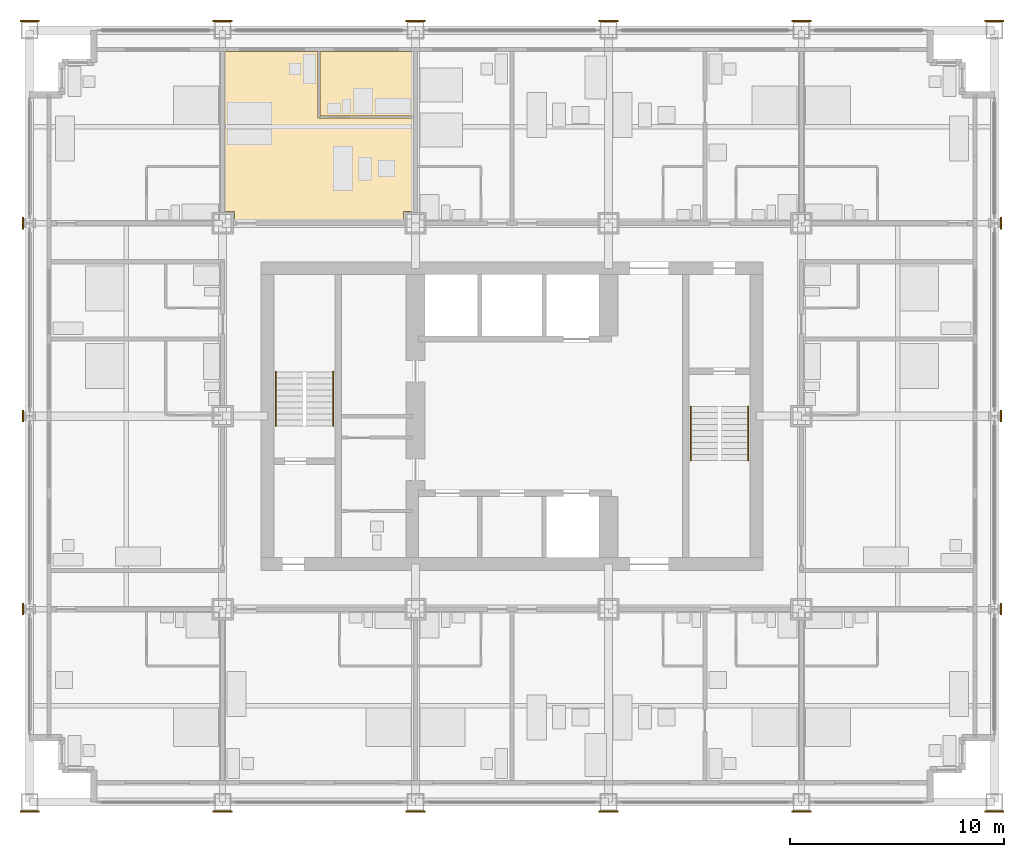
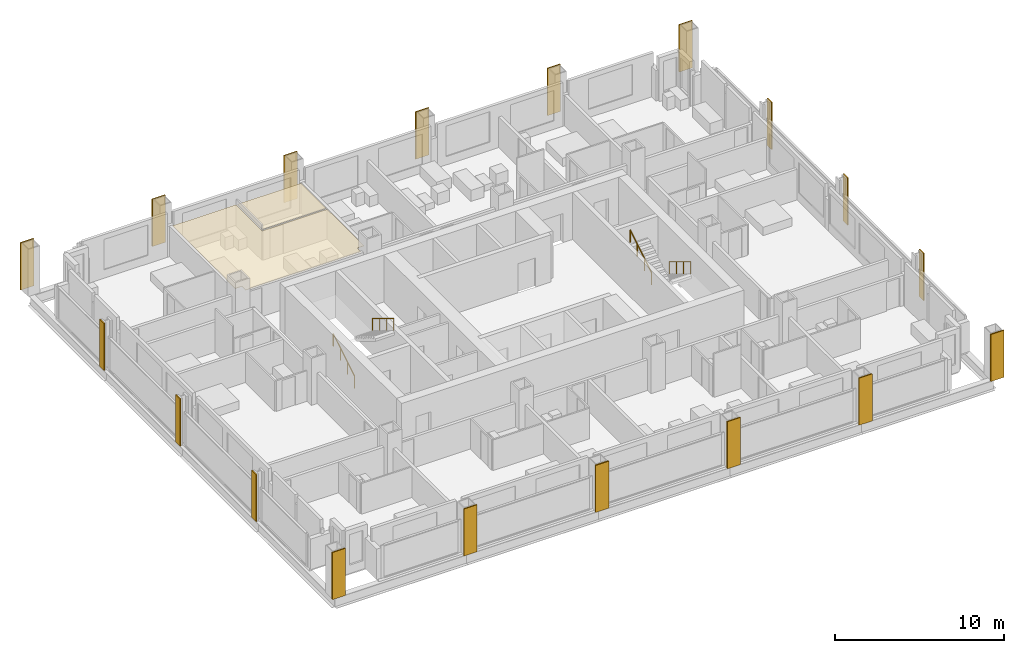
# One storey, part 15 of 17: 20 coverings, 4 railings.
"""IFC4 building model written with IfcOpenShell, lengths in metres."""

from ifc_helpers import new_model, si_unit, direction, frame, origin, origin_2d, place, context, subcontext, project, spatial, polyline, rectangle, circle, outline, extrude, material, layer, layer_set, type_object, element, save


model = new_model("IFC4")

# Units and contexts
model_context = context("Model", 3, precision=1e-05, world=origin(), true_north=direction((0.0, 1.0)))
body_context = subcontext(model_context, "Body", "Model", "MODEL_VIEW")
ifc_project = project(units=[si_unit("LENGTHUNIT", "METRE"), si_unit("AREAUNIT", "SQUARE_METRE"), si_unit("VOLUMEUNIT", "CUBIC_METRE"), si_unit("PLANEANGLEUNIT", "RADIAN"), si_unit("MASSUNIT", "GRAM", prefix="KILO")], contexts=[model_context])

# Site, building, storey
site_placement = place(None, origin())
site = spatial("IfcSite", under=ifc_project, at=site_placement, CompositionType="ELEMENT")
building_placement = place(site_placement, origin())
building = spatial("IfcBuilding", under=site, at=building_placement, Name="Loomwork Tower", CompositionType="ELEMENT")
storey_placement = place(building_placement, frame((0.0, 0.0, 152.0)))
storey = spatial("IfcBuildingStorey", under=building, at=storey_placement, Name="L41", CompositionType="ELEMENT", Elevation=152.0)

# Railings
ifc_material_1 = material(Name="Stainless steel handrail", Category="steel")
railing_type = type_object("IfcRailingType", Name="Handrail 900", PredefinedType="HANDRAIL", material=ifc_material_1)
railing_1_placement = place(storey_placement, frame((11.485107421875, 17.550048828125, 0.169921875)))
element("IfcRailing", 1, at=railing_1_placement, inside=storey, type_object=railing_type, Name="Stair A handrail flight 1 L41", PredefinedType="HANDRAIL", context=body_context, shape_type="SweptSolid", body=[
    extrude(circle(Radius=0.02392578125, at=origin_2d()), frame((0.0, 0.0, 0.8759765625), z_axis=(0.0, 0.85478489116, 0.518982456201), x_axis=(-1.0, 0.0, 0.0)), (0.0, 0.0, 1.0), 2.9482421875),
    extrude(circle(Radius=0.02099609375, at=origin_2d()), origin(), (0.0, 0.0, 1.0), 0.851806640625),
    extrude(circle(Radius=0.02099609375, at=origin_2d()), frame((0.0, 0.840087890625, 0.510009765625)), (0.0, 0.0, 1.0), 0.851806640625),
    extrude(circle(Radius=0.02099609375, at=origin_2d()), frame((0.0, 1.679931640625, 1.02001953125)), (0.0, 0.0, 1.0), 0.851806640625),
    extrude(circle(Radius=0.02099609375, at=origin_2d()), frame((0.0, 2.52001953125, 1.530029296875)), (0.0, 0.0, 1.0), 0.851806640625),
])
railing_2_placement = place(storey_placement, frame((14.1650390625, 20.070068359375, 1.8701171875)))
element("IfcRailing", 2, at=railing_2_placement, inside=storey, type_object=railing_type, Name="Stair A handrail flight 2 L41", PredefinedType="HANDRAIL", context=body_context, shape_type="SweptSolid", body=[
    extrude(circle(Radius=0.02392578125, at=origin_2d()), frame((0.0, 0.0, 0.8759765625), z_axis=(0.0, -0.854821627497, 0.518921945155), x_axis=(1.0, 0.0, 0.0)), (0.0, 0.0, 1.0), 2.947998046875),
    extrude(circle(Radius=0.02099609375, at=origin_2d()), origin(), (0.0, 0.0, 1.0), 0.851806640625),
    extrude(circle(Radius=0.02099609375, at=origin_2d()), frame((0.0, -0.840087890625, 0.510009765625)), (0.0, 0.0, 1.0), 0.851806640625),
    extrude(circle(Radius=0.02099609375, at=origin_2d()), frame((0.0, -1.679931640625, 1.019775390625)), (0.0, 0.0, 1.0), 0.851806640625),
    extrude(circle(Radius=0.02099609375, at=origin_2d()), frame((0.0, -2.52001953125, 1.52978515625)), (0.0, 0.0, 1.0), 0.851806640625),
])
railing_3_placement = place(storey_placement, frame((33.514892578125, 18.449951171875, 0.169921875)))
element("IfcRailing", 3, at=railing_3_placement, inside=storey, type_object=railing_type, Name="Stair B handrail flight 1 L41", PredefinedType="HANDRAIL", context=body_context, shape_type="SweptSolid", body=[
    extrude(circle(Radius=0.02392578125, at=origin_2d()), frame((0.0, 0.0, 0.8759765625), z_axis=(0.0, -0.85478489116, 0.518982456201), x_axis=(1.0, 0.0, 0.0)), (0.0, 0.0, 1.0), 2.9482421875),
    extrude(circle(Radius=0.02099609375, at=origin_2d()), origin(), (0.0, 0.0, 1.0), 0.851806640625),
    extrude(circle(Radius=0.02099609375, at=origin_2d()), frame((0.0, -0.840087890625, 0.510009765625)), (0.0, 0.0, 1.0), 0.851806640625),
    extrude(circle(Radius=0.02099609375, at=origin_2d()), frame((0.0, -1.679931640625, 1.02001953125)), (0.0, 0.0, 1.0), 0.851806640625),
    extrude(circle(Radius=0.02099609375, at=origin_2d()), frame((0.0, -2.52001953125, 1.530029296875)), (0.0, 0.0, 1.0), 0.851806640625),
])
railing_4_placement = place(storey_placement, frame((30.8349609375, 15.929931640625, 1.8701171875)))
element("IfcRailing", 4, at=railing_4_placement, inside=storey, type_object=railing_type, Name="Stair B handrail flight 2 L41", PredefinedType="HANDRAIL", context=body_context, shape_type="SweptSolid", body=[
    extrude(circle(Radius=0.02392578125, at=origin_2d()), frame((0.0, 0.0, 0.8759765625), z_axis=(0.0, 0.854821627497, 0.518921945155), x_axis=(-1.0, 0.0, 0.0)), (0.0, 0.0, 1.0), 2.947998046875),
    extrude(circle(Radius=0.02099609375, at=origin_2d()), origin(), (0.0, 0.0, 1.0), 0.851806640625),
    extrude(circle(Radius=0.02099609375, at=origin_2d()), frame((0.0, 0.840087890625, 0.510009765625)), (0.0, 0.0, 1.0), 0.851806640625),
    extrude(circle(Radius=0.02099609375, at=origin_2d()), frame((0.0, 1.679931640625, 1.019775390625)), (0.0, 0.0, 1.0), 0.851806640625),
    extrude(circle(Radius=0.02099609375, at=origin_2d()), frame((0.0, 2.52001953125, 1.52978515625)), (0.0, 0.0, 1.0), 0.851806640625),
])

# Coverings
ifc_material_2 = material(Name="Limestone", Category="masonry")
ifc_layer_1 = layer(ifc_material_2, 0.080078125)
ifc_layer_set_1 = layer_set([ifc_layer_1], Name="Limestone pier facing 80")
covering_type_1 = type_object("IfcCoveringType", Name="Limestone pier facing 80", PredefinedType="CLADDING", material=ifc_layer_set_1)
covering_1_placement = place(storey_placement, frame((0.0, -0.43994140625, 0.0), z_axis=(0.0, 0.0, 1.0), x_axis=(1.0, 0.0, 0.0)))
element("IfcCovering", 5, at=covering_1_placement, inside=storey, type_object=covering_type_1, Name="Pier facing D/2 L41", PredefinedType="CLADDING", context=body_context, shape_type="SweptSolid", body=[
    extrude(rectangle(XDim=0.89990234375, YDim=0.080078125, at=origin_2d()), origin(), (0.0, 0.0, 1.0), 3.39990234375),
])
for number, where, z_axis, x_axis, name in (
    (6, (-0.305419921875, 9.0, 0.0), (0.0, 0.0, 1.0), (1.0, 0.0, 0.0), "Pier facing E/2 L41"),
    (7, (-0.305419921875, 18.0, 0.0), (0.0, 0.0, 1.0), (1.0, 0.0, 0.0), "Pier facing F/2 L41"),
    (8, (-0.305419921875, 27.0, 0.0), (0.0, 0.0, 1.0), (1.0, 0.0, 0.0), "Pier facing G/2 L41"),
):
    element("IfcCovering", number, at=place(storey_placement, frame(where, z_axis=z_axis, x_axis=x_axis)), inside=storey, type_object=covering_type_1, Name=name, PredefinedType="CLADDING", context=body_context, shape_type="SweptSolid", body=[
        extrude(rectangle(XDim=0.080078125, YDim=0.5419921875, at=origin_2d()), origin(), (0.0, 0.0, 1.0), 3.39990234375),
    ])
for number, where, z_axis, x_axis, name in (
    (9, (0.0, 36.43994140625, 0.0), (0.0, 0.0, 1.0), (1.0, 0.0, 0.0), "Pier facing H/2 L41"),
    (10, (9.0, -0.43994140625, 0.0), (0.0, 0.0, 1.0), (1.0, 0.0, 0.0), "Pier facing D/3 L41"),
    (11, (9.0, 36.43994140625, 0.0), (0.0, 0.0, 1.0), (1.0, 0.0, 0.0), "Pier facing H/3 L41"),
    (12, (18.0, -0.43994140625, 0.0), (0.0, 0.0, 1.0), (1.0, 0.0, 0.0), "Pier facing D/4 L41"),
    (13, (18.0, 36.43994140625, 0.0), (0.0, 0.0, 1.0), (1.0, 0.0, 0.0), "Pier facing H/4 L41"),
    (14, (27.0, -0.43994140625, 0.0), (0.0, 0.0, 1.0), (1.0, 0.0, 0.0), "Pier facing D/5 L41"),
    (15, (27.0, 36.43994140625, 0.0), (0.0, 0.0, 1.0), (1.0, 0.0, 0.0), "Pier facing H/5 L41"),
    (16, (36.0, -0.43994140625, 0.0), (0.0, 0.0, 1.0), (1.0, 0.0, 0.0), "Pier facing D/6 L41"),
    (17, (36.0, 36.43994140625, 0.0), (0.0, 0.0, 1.0), (1.0, 0.0, 0.0), "Pier facing H/6 L41"),
    (18, (45.0, -0.43994140625, 0.0), (0.0, 0.0, 1.0), (1.0, 0.0, 0.0), "Pier facing D/7 L41"),
):
    element("IfcCovering", number, at=place(storey_placement, frame(where, z_axis=z_axis, x_axis=x_axis)), inside=storey, type_object=covering_type_1, Name=name, PredefinedType="CLADDING", context=body_context, shape_type="SweptSolid", body=[
        extrude(rectangle(XDim=0.89990234375, YDim=0.080078125, at=origin_2d()), origin(), (0.0, 0.0, 1.0), 3.39990234375),
    ])
for number, where, z_axis, x_axis, name in (
    (19, (45.305419921875, 9.0, 0.0), (0.0, 0.0, 1.0), (1.0, 0.0, 0.0), "Pier facing E/7 L41"),
    (20, (45.305419921875, 18.0, 0.0), (0.0, 0.0, 1.0), (1.0, 0.0, 0.0), "Pier facing F/7 L41"),
    (21, (45.305419921875, 27.0, 0.0), (0.0, 0.0, 1.0), (1.0, 0.0, 0.0), "Pier facing G/7 L41"),
):
    element("IfcCovering", number, at=place(storey_placement, frame(where, z_axis=z_axis, x_axis=x_axis)), inside=storey, type_object=covering_type_1, Name=name, PredefinedType="CLADDING", context=body_context, shape_type="SweptSolid", body=[
        extrude(rectangle(XDim=0.080078125, YDim=0.5419921875, at=origin_2d()), origin(), (0.0, 0.0, 1.0), 3.39990234375),
    ])
covering_2_placement = place(storey_placement, frame((45.0, 36.43994140625, 0.0), z_axis=(0.0, 0.0, 1.0), x_axis=(1.0, 0.0, 0.0)))
element("IfcCovering", 22, at=covering_2_placement, inside=storey, type_object=covering_type_1, Name="Pier facing H/7 L41", PredefinedType="CLADDING", context=body_context, shape_type="SweptSolid", body=[
    extrude(rectangle(XDim=0.89990234375, YDim=0.080078125, at=origin_2d()), origin(), (0.0, 0.0, 1.0), 3.39990234375),
])
ifc_material_3 = material(Name="Mineral fibre acoustic tile on suspension grid")
ifc_layer_2 = layer(ifc_material_3, 0.02490234375)
ifc_layer_set_2 = layer_set([ifc_layer_2], Name="Suspended acoustic ceiling")
covering_type_2 = type_object("IfcCoveringType", Name="Suspended acoustic ceiling", PredefinedType="CEILING", material=ifc_layer_set_2)
covering_3_placement = place(storey_placement, frame((0.0, 0.0, 2.125)))
element("IfcCovering", 23, at=covering_3_placement, inside=storey, type_object=covering_type_2, Name="Ceiling Spa bathroom L41", PredefinedType="CEILING", context=body_context, shape_type="SweptSolid", body=[
    extrude(outline(polyline([(13.550048828125, 35.0), (17.89990234375, 35.0), (17.89990234375, 32.0), (13.550048828125, 32.0), (13.550048828125, 35.0)])), origin(), (0.0, 0.0, 1.0), 0.02490234375),
])
covering_4_placement = place(storey_placement, frame((0.0, 0.0, 2.125)))
element("IfcCovering", 24, at=covering_4_placement, inside=storey, type_object=covering_type_2, Name="Ceiling Spa suite L41", PredefinedType="CEILING", context=body_context, shape_type="SweptSolid", body=[
    extrude(outline(polyline([(9.10009765625, 35.0), (13.449951171875, 35.0), (13.449951171875, 31.89990234375), (17.89990234375, 31.89990234375), (17.89990234375, 27.550048828125), (17.449951171875, 27.550048828125), (17.449951171875, 27.10009765625), (9.550048828125, 27.10009765625), (9.550048828125, 27.550048828125), (9.10009765625, 27.550048828125), (9.10009765625, 35.0)])), origin(), (0.0, 0.0, 1.0), 0.02490234375),
])

save(model, "model.ifc")
